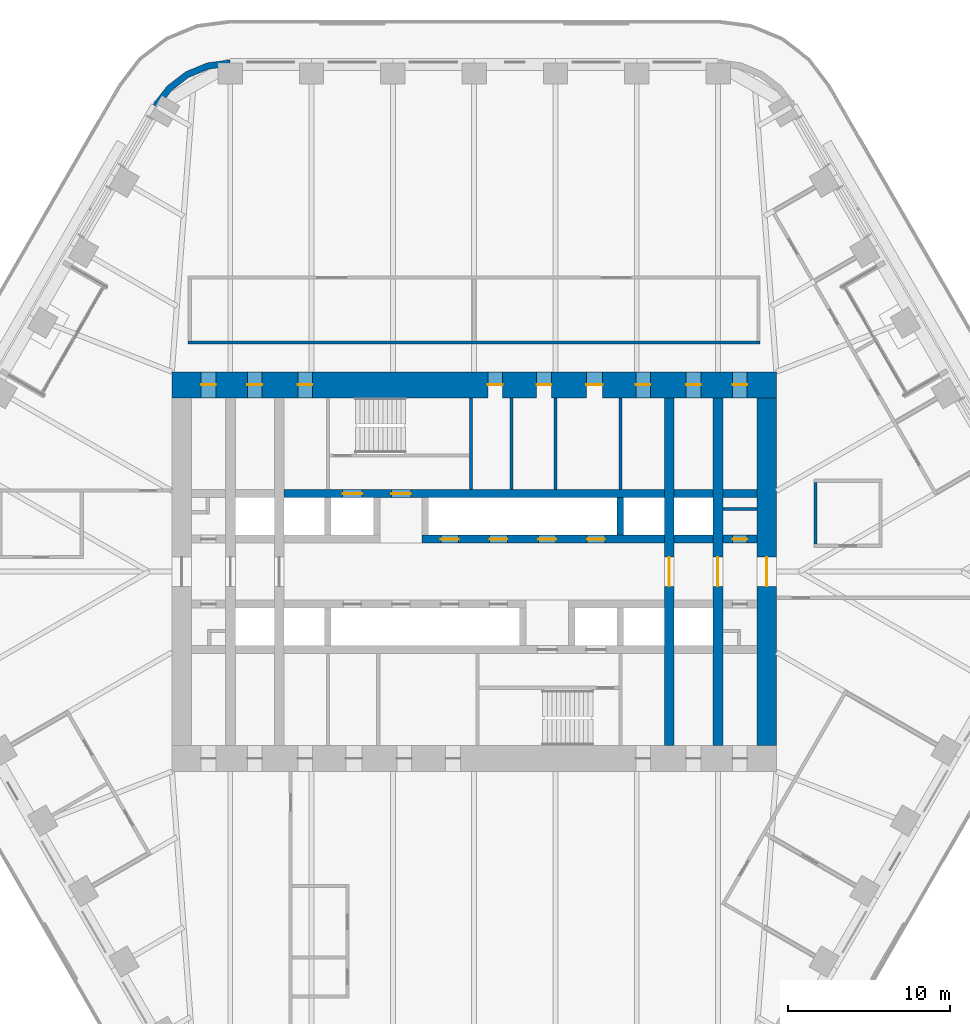
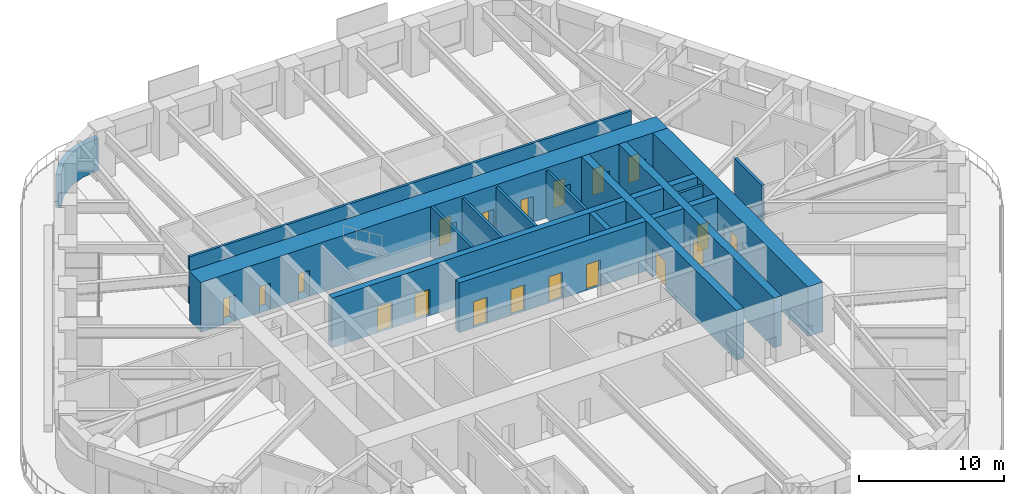
# One storey, part 20 of 24: 19 doors, 19 walls, 19 openings.
"""IFC4 building model written with IfcOpenShell, lengths in metres."""

import ifcopenshell
import ifcopenshell.guid

model = None  # the IFC model being written
_history = None  # IfcOwnerHistory: only IFC2X3 demands one
_inside = {}  # id of a spatial element -> (the spatial element, [elements in it])
_under = {}  # id of a project, library or spatial element -> (it, [spatial elements below it])
_declared = {}  # id of a project -> (the project, [libraries it declares])
_typed = {}  # id of a type object -> (the type object, [elements of that type])
_made_of = {}  # id of a material, layer set ... -> (it, [elements and type objects made of it])


def new_model(schema):
    """Start an empty IFC model of exactly this schema.

    Asked for "IFC4X3", IfcOpenShell would pick the latest addendum, in which some entities
    have other attributes; the version numbers below select the first issue.
    IFC2X3 requires an IfcOwnerHistory on every rooted entity: one is made here for all.
    """
    global model, _history
    if schema == "IFC4X3":
        model = ifcopenshell.file(schema_version=(4, 3, 0, 0))
    else:
        model = ifcopenshell.file(schema=schema)
    _inside.clear()
    _under.clear()
    _declared.clear()
    _typed.clear()
    _made_of.clear()
    _history = None
    if model.schema == "IFC2X3":
        org = make("IfcOrganization", Name="unknown")
        user = make(
            "IfcPersonAndOrganization",
            ThePerson=make("IfcPerson", FamilyName="unknown"),
            TheOrganization=org,
        )
        app = make(
            "IfcApplication",
            ApplicationDeveloper=org,
            Version="unknown",
            ApplicationFullName="unknown",
            ApplicationIdentifier="unknown",
        )
        _history = make(
            "IfcOwnerHistory",
            OwningUser=user,
            OwningApplication=app,
            ChangeAction="ADDED",
            CreationDate=0,
        )
    return model


def make(cls, **values):
    """One entity of the class cls with the attributes given. An attribute that is None is left unset."""
    return model.create_entity(
        cls, **{name: value for name, value in values.items() if value is not None}
    )


def rooted(cls, **values):
    """An entity with a GlobalId (a new one), such as an element, a storey or a relation."""
    return make(cls, GlobalId=ifcopenshell.guid.new(), OwnerHistory=_history, **values)


def si_unit(unit_type, name, prefix=None):
    """IfcSIUnit, for example si_unit("LENGTHUNIT", "METRE", prefix="MILLI")."""
    return make("IfcSIUnit", UnitType=unit_type, Prefix=prefix, Name=name)


def assignment(units):
    """IfcUnitAssignment: the units of a project."""
    return None if units is None else make("IfcUnitAssignment", Units=units)


def point(xyz):
    """IfcCartesianPoint."""
    return None if xyz is None else make("IfcCartesianPoint", Coordinates=xyz)


def direction(xyz):
    """IfcDirection."""
    return None if xyz is None else make("IfcDirection", DirectionRatios=xyz)


def frame(location, z_axis=None, x_axis=None):
    """IfcAxis2Placement3D, a coordinate frame: its origin and axes. An axis left out is left unset."""
    return make(
        "IfcAxis2Placement3D",
        Location=point(location),
        Axis=direction(z_axis),
        RefDirection=direction(x_axis),
    )


def frame_2d(location, x_axis=None):
    """IfcAxis2Placement2D, a coordinate frame in the plane: its origin and x axis."""
    return make(
        "IfcAxis2Placement2D", Location=point(location), RefDirection=direction(x_axis)
    )


def origin():
    """The frame at (0, 0, 0) with its axes left unset."""
    return frame((0.0, 0.0, 0.0))


def place(relative_to, where):
    """IfcLocalPlacement: puts the frame where relative to a parent placement (None: the world)."""
    return make(
        "IfcLocalPlacement", PlacementRelTo=relative_to, RelativePlacement=where
    )


def context(
    kind, dimensions, precision=None, world=None, true_north=None, identifier=None
):
    """IfcGeometricRepresentationContext, for example the 3D "Model" context."""
    return make(
        "IfcGeometricRepresentationContext",
        ContextIdentifier=identifier,
        ContextType=kind,
        CoordinateSpaceDimension=dimensions,
        Precision=precision,
        WorldCoordinateSystem=world,
        TrueNorth=true_north,
    )


def subcontext(parent, identifier, kind, view, scale=None):
    """IfcGeometricRepresentationSubContext, for example "Body" below "Model"."""
    return make(
        "IfcGeometricRepresentationSubContext",
        ContextIdentifier=identifier,
        ContextType=kind,
        ParentContext=parent,
        TargetScale=scale,
        TargetView=view,
    )


def project(units=None, contexts=None):
    """IfcProject with its units and contexts."""
    return rooted(
        "IfcProject",
        Name="project",
        RepresentationContexts=contexts,
        UnitsInContext=assignment(units),
    )


def spatial(cls, under=None, at=None, **own):
    """A site, building, storey or space (cls), placed at a placement, below another one or the project."""
    s = rooted(cls, ObjectPlacement=at, **own)
    if under is not None:
        _under.setdefault(under.id(), (under, []))[1].append(s)
    return s


def polyline(points):
    """IfcPolyline through the points."""
    return make("IfcPolyline", Points=[point(p) for p in points])


def profile(cls, at=None, kind="AREA", **sizes):
    """A parametric profile (cls). Its sizes go by their IFC names, for example OverallWidth=200.0."""
    return make(cls, ProfileType=kind, Position=at, **sizes)


def rectangle(**sizes):
    """IfcRectangleProfileDef."""
    return profile("IfcRectangleProfileDef", **sizes)


def outline(outer, holes=None, kind="AREA"):
    """IfcArbitraryClosedProfileDef: a profile drawn as a closed curve; with holes, ...WithVoids."""
    if holes is None:
        return make("IfcArbitraryClosedProfileDef", ProfileType=kind, OuterCurve=outer)
    return make(
        "IfcArbitraryProfileDefWithVoids",
        ProfileType=kind,
        OuterCurve=outer,
        InnerCurves=holes,
    )


def extrude(swept, where, along, depth):
    """IfcExtrudedAreaSolid: the profile swept, set in the frame where, extruded along a direction by depth."""
    return make(
        "IfcExtrudedAreaSolid",
        SweptArea=swept,
        Position=where,
        ExtrudedDirection=direction(along),
        Depth=depth,
    )


def shape(context_of_items, identifier, shape_type, items):
    """IfcShapeRepresentation: the items that make up one representation, for example the "Body"."""
    return make(
        "IfcShapeRepresentation",
        ContextOfItems=context_of_items,
        RepresentationIdentifier=identifier,
        RepresentationType=shape_type,
        Items=items,
    )


def material(Name=None, Category=None):
    """IfcMaterial."""
    return make("IfcMaterial", Name=Name, Category=Category)


def layer(
    of_material, thickness, ventilated=None, Name=None, Category=None, Priority=None
):
    """IfcMaterialLayer: one layer of a wall or slab, of a material (None: an air gap)."""
    return make(
        "IfcMaterialLayer",
        Material=of_material,
        LayerThickness=thickness,
        IsVentilated=ventilated,
        Name=Name,
        Category=Category,
        Priority=Priority,
    )


def layer_set(layers, Name=None):
    """IfcMaterialLayerSet."""
    return make("IfcMaterialLayerSet", MaterialLayers=layers, LayerSetName=Name)


def made_of(thing, what):
    """Note that an element or type object is made of a material, layer set ...; save() writes the relation."""
    if what is not None:
        _made_of.setdefault(what.id(), (what, []))[1].append(thing)
    return thing


def type_object(cls, material=None, **own):
    """A type object (cls), such as IfcWallType, which elements share."""
    return made_of(rooted(cls, **own), material)


def element(
    cls,
    number,
    at=None,
    inside=None,
    cuts=None,
    type_object=None,
    material=None,
    context=None,
    identifier="Body",
    shape_type=None,
    held_by="IfcProductDefinitionShape",
    body=None,
    shapes=None,
    **own,
):
    """One element of the class cls, such as IfcWall. Its Tag is "e" and its number.

    at: its placement. inside: the storey or other place that contains it. cuts: it is an
    opening in that element (IfcRelVoidsElement). A single representation is given by context,
    identifier, shape_type and body (its items); several are given by shapes. held_by: the class
    of the entity that holds the representations. save() writes the other relations.
    """
    e = rooted(cls, Tag="e%d" % number, ObjectPlacement=at, **own)
    if body is not None:
        shapes = [shape(context, identifier, shape_type, body)]
    if shapes is not None:
        e.Representation = make(held_by, Representations=shapes)
    if inside is not None:
        _inside.setdefault(inside.id(), (inside, []))[1].append(e)
    if cuts is not None:
        rooted(
            "IfcRelVoidsElement", RelatingBuildingElement=cuts, RelatedOpeningElement=e
        )
    if type_object is not None:
        _typed.setdefault(type_object.id(), (type_object, []))[1].append(e)
    return made_of(e, material)


def fill(opening, filler):
    """IfcRelFillsElement: the door or window that sits in an opening."""
    return rooted(
        "IfcRelFillsElement",
        RelatingOpeningElement=opening,
        RelatedBuildingElement=filler,
    )


def aggregate(whole, parts):
    """IfcRelAggregates: a whole, such as a stair, and the parts it consists of."""
    return rooted("IfcRelAggregates", RelatingObject=whole, RelatedObjects=parts)


def save(model, path):
    """Write the relations noted so far, then the file.

    IfcRelAggregates (storeys below a building ...), IfcRelContainedInSpatialStructure (elements
    in a storey), IfcRelDefinesByType, IfcRelAssociatesMaterial and IfcRelDeclares: one each for
    every whole, place, type object, material and project.
    """
    for whole, parts in _under.values():
        aggregate(whole, parts)
    for where, things in _inside.values():
        rooted(
            "IfcRelContainedInSpatialStructure",
            RelatedElements=things,
            RelatingStructure=where,
        )
    for kind, things in _typed.values():
        rooted("IfcRelDefinesByType", RelatedObjects=things, RelatingType=kind)
    for what, things in _made_of.values():
        rooted("IfcRelAssociatesMaterial", RelatedObjects=things, RelatingMaterial=what)
    for by, libraries in _declared.values():
        rooted("IfcRelDeclares", RelatingContext=by, RelatedDefinitions=libraries)
    model.write(path)


model = new_model("IFC4")

# Units and contexts
model_context = context("Model", 3, precision=1e-05, world=origin(), true_north=direction((0.0, 1.0)))
body_context = subcontext(model_context, "Body", "Model", "MODEL_VIEW")
ifc_project = project(units=[si_unit("LENGTHUNIT", "METRE"), si_unit("AREAUNIT", "SQUARE_METRE"), si_unit("VOLUMEUNIT", "CUBIC_METRE"), si_unit("PLANEANGLEUNIT", "RADIAN"), si_unit("MASSUNIT", "GRAM", prefix="KILO")], contexts=[model_context])

# Site, building, storey
site_placement = place(None, origin())
site = spatial("IfcSite", under=ifc_project, at=site_placement, CompositionType="ELEMENT")
building_placement = place(site_placement, origin())
building = spatial("IfcBuilding", under=site, at=building_placement, Name="Tarfa Lantern Tower", CompositionType="ELEMENT")
storey_placement = place(building_placement, frame((0.0, 0.0, 190.89990234375)))
storey = spatial("IfcBuildingStorey", under=building, at=storey_placement, Name="L43", CompositionType="ELEMENT", Elevation=190.89990234375)

# Walls
ifc_material_1 = material(Name="Limestone cladding on blockwork", Category="masonry")
ifc_layer_1 = layer(ifc_material_1, 0.39990234375)
ifc_layer_set_1 = layer_set([ifc_layer_1], Name="EW2 CURVED STONE CORNER 400")
wall_type_1 = type_object("IfcWallType", Name="EW2 CURVED STONE CORNER 400", PredefinedType="SOLIDWALL", material=ifc_layer_set_1)
wall_1_placement = place(storey_placement, origin())
element("IfcWall", 1, at=wall_1_placement, inside=storey, type_object=wall_type_1, Name="Stone corner N-NW", PredefinedType="SOLIDWALL", context=body_context, shape_type="SweptSolid", body=[
    extrude(outline(polyline([(-15.010986328125, 31.5), (-16.4345703125, 31.3125), (-17.760986328125, 30.76318359375), (-18.900146484375, 29.88916015625), (-19.774169921875, 28.75), (-19.427734375, 28.550048828125), (-18.617431640625, 29.606201171875), (-17.56103515625, 30.416748046875), (-16.3310546875, 30.92626953125), (-15.010986328125, 31.10009765625), (-15.010986328125, 31.5)])), origin(), (0.0, 0.0, 1.0), 2.75),
])
ifc_material_2 = material(Name="Concrete blockwork", Category="masonry")
ifc_layer_2 = layer(ifc_material_2, 0.199951171875)
ifc_layer_set_2 = layer_set([ifc_layer_2], Name="IW1 BLOCKWORK PARTITION 200 EI 120")
wall_type_2 = type_object("IfcWallType", Name="IW1 BLOCKWORK PARTITION 200 EI 120", PredefinedType="PARTITIONING", material=ifc_layer_set_2)
for number, where, z_axis, x_axis, name in (
    (2, (9.0, 5.050048828125, 0.0), (0.0, 0.0, 1.0), (0.0, 1.0, 0.0), "Core partition"),
    (3, (2.300048828125, 5.050048828125, 0.0), (0.0, 0.0, 1.0), (0.0, 1.0, 0.0), "Core partition"),
    (4, (5.0, 5.050048828125, 0.0), (0.0, 0.0, 1.0), (0.0, 1.0, 0.0), "Core partition"),
):
    element("IfcWall", number, at=place(storey_placement, frame(where, z_axis=z_axis, x_axis=x_axis)), inside=storey, type_object=wall_type_2, Name=name, PredefinedType="PARTITIONING", context=body_context, shape_type="SweptSolid", body=[
        extrude(rectangle(XDim=5.64990234375, YDim=0.199951171875, at=frame_2d((2.824951171875, 0.0))), origin(), (0.0, 0.0, 1.0), 4.0),
    ])
wall_2_placement = place(storey_placement, frame((15.300048828125, 3.85009765625, 0.0), z_axis=(0.0, 0.0, 1.0), x_axis=(1.0, 0.0, 0.0)))
element("IfcWall", 5, at=wall_2_placement, inside=storey, type_object=wall_type_2, Name="Core partition", PredefinedType="PARTITIONING", context=body_context, shape_type="SweptSolid", body=[
    extrude(rectangle(XDim=2.099853515625, YDim=0.199951171875, at=frame_2d((1.0498046875, 0.0))), origin(), (0.0, 0.0, 1.0), 4.0),
])
ifc_material_3 = material(Name="Gypsum board on steel studs", Category="steel")
ifc_layer_3 = layer(ifc_material_3, 0.2099609375)
ifc_layer_set_3 = layer_set([ifc_layer_3], Name="IW2 ACOUSTIC PARTITION 200")
wall_type_3 = type_object("IfcWallType", Name="IW2 ACOUSTIC PARTITION 200", PredefinedType="PARTITIONING", material=ifc_layer_set_3)
wall_3_placement = place(storey_placement, frame((-17.60009765625, 14.10009765625, 0.0), z_axis=(0.0, 0.0, 1.0), x_axis=(1.0, 0.0, 0.0)))
element("IfcWall", 6, at=wall_3_placement, inside=storey, type_object=wall_type_3, Name="Partition", PredefinedType="PARTITIONING", context=body_context, shape_type="SweptSolid", body=[
    extrude(rectangle(XDim=35.2001953125, YDim=0.199951171875, at=frame_2d((17.60009765625, 0.0))), origin(), (0.0, 0.0, 1.0), 4.0),
])
wall_4_placement = place(storey_placement, frame((21.0, 1.699951171875, 0.0), z_axis=(0.0, 0.0, 1.0), x_axis=(0.0, 1.0, 0.0)))
element("IfcWall", 7, at=wall_4_placement, inside=storey, type_object=wall_type_3, Name="Partition", PredefinedType="PARTITIONING", context=body_context, shape_type="SweptSolid", body=[
    extrude(rectangle(XDim=3.800048828125, YDim=0.199951171875, at=frame_2d((1.89990234375, 0.0))), origin(), (0.0, 0.0, 1.0), 4.0),
])

# Wall, opening, door
ifc_material_4 = material(Name="Concrete C80/95", Category="concrete")
ifc_layer_4 = layer(ifc_material_4, 1.199951171875)
ifc_layer_set_4 = layer_set([ifc_layer_4], Name="SW1 CORE WALL 1200")
wall_type_4 = type_object("IfcWallType", Name="SW1 CORE WALL 1200", PredefinedType="SHEAR", material=ifc_layer_set_4)
wall_5_placement = place(storey_placement, frame((18.0, -10.699951171875, 0.0), z_axis=(0.0, 0.0, 1.0), x_axis=(0.0, 1.0, 0.0)))
wall_5 = element("IfcWall", 8, at=wall_5_placement, inside=storey, type_object=wall_type_4, Name="Core wall E", PredefinedType="SHEAR", context=body_context, shape_type="SweptSolid", body=[
    extrude(rectangle(XDim=21.39990234375, YDim=1.199951171875, at=frame_2d((10.699951171875, 0.0))), origin(), (0.0, 0.0, 1.0), 4.2001953125),
])
opening_1_placement = place(wall_5_placement, frame((9.800048828125, 0.0, 0.0)))
opening_1 = element("IfcOpeningElement", 9, at=opening_1_placement, cuts=wall_5, Name="Opening D15", PredefinedType="OPENING", context=body_context, shape_type="SweptSolid", body=[
    extrude(rectangle(XDim=1.800048828125, YDim=2.39990234375, at=frame_2d((0.89990234375, 1.199951171875))), frame((0.0, 0.60986328125, 0.0), z_axis=(0.0, -1.0, 0.0), x_axis=(1.0, 0.0, 0.0)), (0.0, 0.0, 1.0), 1.219970703125),
])
ifc_material_5 = material(Name="Steel fire door", Category="steel")
door_type_1 = type_object("IfcDoorType", Name="DL1 LOBBY DOOR 1800x2400", OperationType="DOUBLE_DOOR_SINGLE_SWING", PredefinedType="DOOR", material=ifc_material_5)
door_1_placement = place(opening_1_placement, frame((1.800048828125, 0.0, 0.0), z_axis=(0.0, 0.0, 1.0), x_axis=(-1.0, 0.0, 0.0)))
door_1 = element("IfcDoor", 10, at=door_1_placement, inside=storey, type_object=door_type_1, Name="Lift lobby door", OperationType="DOUBLE_DOOR_SINGLE_SWING", OverallHeight=2.39990234375, OverallWidth=1.800048828125, PredefinedType="DOOR", context=body_context, shape_type="SweptSolid", body=[
    extrude(rectangle(XDim=1.800048828125, YDim=2.39990234375, at=frame_2d((0.89990234375, 1.199951171875))), frame((0.0, 0.02490234375, 0.0), z_axis=(0.0, -1.0, 0.0), x_axis=(1.0, 0.0, 0.0)), (0.0, 0.0, 1.0), 0.050048828125),
])
fill(opening_1, door_1)

# Wall
ifc_layer_5 = layer(ifc_material_4, 0.199951171875)
ifc_layer_set_5 = layer_set([ifc_layer_5], Name="SW12 CORE WALL 200")
wall_type_5 = type_object("IfcWallType", Name="SW12 CORE WALL 200", PredefinedType="SHEAR", material=ifc_layer_set_5)
wall_6_placement = place(storey_placement, frame((-0.199951171875, 5.050048828125, 0.0), z_axis=(0.0, 0.0, 1.0), x_axis=(0.0, 1.0, 0.0)))
element("IfcWall", 11, at=wall_6_placement, inside=storey, type_object=wall_type_5, Name="Core wall stair shaft N", PredefinedType="SHEAR", context=body_context, shape_type="SweptSolid", body=[
    extrude(rectangle(XDim=5.64990234375, YDim=0.199951171875, at=frame_2d((2.824951171875, 0.0))), origin(), (0.0, 0.0, 1.0), 4.2001953125),
])

# Wall, openings, doors
ifc_layer_6 = layer(ifc_material_4, 0.5)
ifc_layer_set_6 = layer_set([ifc_layer_6], Name="SW5 CORE WALL 500")
wall_type_6 = type_object("IfcWallType", Name="SW5 CORE WALL 500", PredefinedType="SHEAR", material=ifc_layer_set_6)
wall_7_placement = place(storey_placement, frame((-3.199951171875, 2.0, 0.0), z_axis=(0.0, 0.0, 1.0), x_axis=(1.0, 0.0, 0.0)))
wall_7 = element("IfcWall", 12, at=wall_7_placement, inside=storey, type_object=wall_type_6, Name="Core wall lobby east N", PredefinedType="SHEAR", context=body_context, shape_type="SweptSolid", body=[
    extrude(rectangle(XDim=14.89990234375, YDim=0.5, at=frame_2d((7.449951171875, 0.0))), origin(), (0.0, 0.0, 1.0), 4.2001953125),
])
opening_2_placement = place(wall_7_placement, frame((1.14990234375, 0.0, 0.0)))
opening_2 = element("IfcOpeningElement", 13, at=opening_2_placement, cuts=wall_7, Name="Opening LD03", PredefinedType="OPENING", context=body_context, shape_type="SweptSolid", body=[
    extrude(rectangle(XDim=1.10009765625, YDim=2.199951171875, at=frame_2d((0.550048828125, 1.10009765625))), frame((0.0, 0.260009765625, 0.0), z_axis=(0.0, -1.0, 0.0), x_axis=(1.0, 0.0, 0.0)), (0.0, 0.0, 1.0), 0.52001953125),
])
opening_3_placement = place(wall_7_placement, frame((4.14990234375, 0.0, 0.0)))
opening_3 = element("IfcOpeningElement", 14, at=opening_3_placement, cuts=wall_7, Name="Opening LD04", PredefinedType="OPENING", context=body_context, shape_type="SweptSolid", body=[
    extrude(rectangle(XDim=1.10009765625, YDim=2.199951171875, at=frame_2d((0.550048828125, 1.10009765625))), frame((0.0, 0.260009765625, 0.0), z_axis=(0.0, -1.0, 0.0), x_axis=(1.0, 0.0, 0.0)), (0.0, 0.0, 1.0), 0.52001953125),
])
opening_4_placement = place(wall_7_placement, frame((7.14990234375, 0.0, 0.0)))
opening_4 = element("IfcOpeningElement", 15, at=opening_4_placement, cuts=wall_7, Name="Opening LD05", PredefinedType="OPENING", context=body_context, shape_type="SweptSolid", body=[
    extrude(rectangle(XDim=1.10009765625, YDim=2.199951171875, at=frame_2d((0.550048828125, 1.10009765625))), frame((0.0, 0.260009765625, 0.0), z_axis=(0.0, -1.0, 0.0), x_axis=(1.0, 0.0, 0.0)), (0.0, 0.0, 1.0), 0.52001953125),
])
opening_5_placement = place(wall_7_placement, frame((10.14990234375, 0.0, 0.0)))
opening_5 = element("IfcOpeningElement", 16, at=opening_5_placement, cuts=wall_7, Name="Opening LD06", PredefinedType="OPENING", context=body_context, shape_type="SweptSolid", body=[
    extrude(rectangle(XDim=1.10009765625, YDim=2.199951171875, at=frame_2d((0.550048828125, 1.10009765625))), frame((0.0, 0.260009765625, 0.0), z_axis=(0.0, -1.0, 0.0), x_axis=(1.0, 0.0, 0.0)), (0.0, 0.0, 1.0), 0.52001953125),
])
ifc_material_6 = material(Name="Stainless steel lift door", Category="steel")
door_type_2 = type_object("IfcDoorType", Name="LD2 LIFT LANDING DOOR 1100x2200", OperationType="SLIDING_TO_LEFT", PredefinedType="DOOR", material=ifc_material_6)
door_2_placement = place(opening_2_placement, frame((1.10009765625, 0.0, 0.0), z_axis=(0.0, 0.0, 1.0), x_axis=(-1.0, 0.0, 0.0)))
door_2 = element("IfcDoor", 17, at=door_2_placement, inside=storey, type_object=door_type_2, Name="Landing door PB1", OperationType="SLIDING_TO_LEFT", OverallHeight=2.199951171875, OverallWidth=1.10009765625, PredefinedType="DOOR", context=body_context, shape_type="SweptSolid", body=[
    extrude(rectangle(XDim=1.10009765625, YDim=2.199951171875, at=frame_2d((0.550048828125, 1.10009765625))), frame((0.0, 0.02490234375, 0.0), z_axis=(0.0, -1.0, 0.0), x_axis=(1.0, 0.0, 0.0)), (0.0, 0.0, 1.0), 0.050048828125),
])
fill(opening_2, door_2)
door_3_placement = place(opening_3_placement, frame((1.10009765625, 0.0, 0.0), z_axis=(0.0, 0.0, 1.0), x_axis=(-1.0, 0.0, 0.0)))
door_3 = element("IfcDoor", 18, at=door_3_placement, inside=storey, type_object=door_type_2, Name="Landing door PB2", OperationType="SLIDING_TO_LEFT", OverallHeight=2.199951171875, OverallWidth=1.10009765625, PredefinedType="DOOR", context=body_context, shape_type="SweptSolid", body=[
    extrude(rectangle(XDim=1.10009765625, YDim=2.199951171875, at=frame_2d((0.550048828125, 1.10009765625))), frame((0.0, 0.02490234375, 0.0), z_axis=(0.0, -1.0, 0.0), x_axis=(1.0, 0.0, 0.0)), (0.0, 0.0, 1.0), 0.050048828125),
])
fill(opening_3, door_3)
door_4_placement = place(opening_4_placement, frame((1.10009765625, 0.0, 0.0), z_axis=(0.0, 0.0, 1.0), x_axis=(-1.0, 0.0, 0.0)))
door_4 = element("IfcDoor", 19, at=door_4_placement, inside=storey, type_object=door_type_2, Name="Landing door PB3", OperationType="SLIDING_TO_LEFT", OverallHeight=2.199951171875, OverallWidth=1.10009765625, PredefinedType="DOOR", context=body_context, shape_type="SweptSolid", body=[
    extrude(rectangle(XDim=1.10009765625, YDim=2.199951171875, at=frame_2d((0.550048828125, 1.10009765625))), frame((0.0, 0.02490234375, 0.0), z_axis=(0.0, -1.0, 0.0), x_axis=(1.0, 0.0, 0.0)), (0.0, 0.0, 1.0), 0.050048828125),
])
fill(opening_4, door_4)
door_5_placement = place(opening_5_placement, frame((1.10009765625, 0.0, 0.0), z_axis=(0.0, 0.0, 1.0), x_axis=(-1.0, 0.0, 0.0)))
door_5 = element("IfcDoor", 20, at=door_5_placement, inside=storey, type_object=door_type_2, Name="Landing door PB4", OperationType="SLIDING_TO_LEFT", OverallHeight=2.199951171875, OverallWidth=1.10009765625, PredefinedType="DOOR", context=body_context, shape_type="SweptSolid", body=[
    extrude(rectangle(XDim=1.10009765625, YDim=2.199951171875, at=frame_2d((0.550048828125, 1.10009765625))), frame((0.0, 0.02490234375, 0.0), z_axis=(0.0, -1.0, 0.0), x_axis=(1.0, 0.0, 0.0)), (0.0, 0.0, 1.0), 0.050048828125),
])
fill(opening_5, door_5)

# Wall
wall_8_placement = place(storey_placement, frame((12.300048828125, 2.0, 0.0), z_axis=(0.0, 0.0, 1.0), x_axis=(1.0, 0.0, 0.0)))
element("IfcWall", 21, at=wall_8_placement, inside=storey, type_object=wall_type_6, Name="Core wall lobby east N", PredefinedType="SHEAR", context=body_context, shape_type="SweptSolid", body=[
    extrude(rectangle(XDim=2.39990234375, YDim=0.5, at=frame_2d((1.199951171875, 0.0))), origin(), (0.0, 0.0, 1.0), 4.2001953125),
])

# Wall, opening, door
wall_9_placement = place(storey_placement, frame((15.300048828125, 2.0, 0.0), z_axis=(0.0, 0.0, 1.0), x_axis=(1.0, 0.0, 0.0)))
wall_9 = element("IfcWall", 22, at=wall_9_placement, inside=storey, type_object=wall_type_6, Name="Core wall lobby east N", PredefinedType="SHEAR", context=body_context, shape_type="SweptSolid", body=[
    extrude(rectangle(XDim=2.099853515625, YDim=0.5, at=frame_2d((1.0498046875, 0.0))), origin(), (0.0, 0.0, 1.0), 4.2001953125),
])
opening_6_placement = place(wall_9_placement, frame((0.60009765625, 0.0, 0.0)))
opening_6 = element("IfcOpeningElement", 23, at=opening_6_placement, cuts=wall_9, Name="Opening D17", PredefinedType="OPENING", context=body_context, shape_type="SweptSolid", body=[
    extrude(rectangle(XDim=0.89990234375, YDim=2.199951171875, at=frame_2d((0.449951171875, 1.10009765625))), frame((0.0, 0.260009765625, 0.0), z_axis=(0.0, -1.0, 0.0), x_axis=(1.0, 0.0, 0.0)), (0.0, 0.0, 1.0), 0.52001953125),
])
door_type_3 = type_object("IfcDoorType", Name="DF6 SERVICE ROOM DOOR 900x2200", OperationType="SINGLE_SWING_LEFT", PredefinedType="DOOR", material=ifc_material_5)
door_6_placement = place(opening_6_placement, origin())
door_6 = element("IfcDoor", 24, at=door_6_placement, inside=storey, type_object=door_type_3, Name="Service room door", OperationType="SINGLE_SWING_LEFT", OverallHeight=2.199951171875, OverallWidth=0.89990234375, PredefinedType="DOOR", context=body_context, shape_type="SweptSolid", body=[
    extrude(rectangle(XDim=0.89990234375, YDim=2.199951171875, at=frame_2d((0.449951171875, 1.10009765625))), frame((0.0, 0.02490234375, 0.0), z_axis=(0.0, -1.0, 0.0), x_axis=(1.0, 0.0, 0.0)), (0.0, 0.0, 1.0), 0.050048828125),
])
fill(opening_6, door_6)

# Wall, openings, doors
wall_10_placement = place(storey_placement, frame((-11.699951171875, 4.800048828125, 0.0), z_axis=(0.0, 0.0, 1.0), x_axis=(1.0, 0.0, 0.0)))
wall_10 = element("IfcWall", 25, at=wall_10_placement, inside=storey, type_object=wall_type_6, Name="Core wall rear N", PredefinedType="SHEAR", context=body_context, shape_type="SweptSolid", body=[
    extrude(rectangle(XDim=23.39990234375, YDim=0.5, at=frame_2d((11.699951171875, 0.0))), origin(), (0.0, 0.0, 1.0), 4.2001953125),
])
opening_7_placement = place(wall_10_placement, frame((6.60009765625, 0.0, 0.0)))
opening_7 = element("IfcOpeningElement", 26, at=opening_7_placement, cuts=wall_10, Name="Opening D13", PredefinedType="OPENING", context=body_context, shape_type="SweptSolid", body=[
    extrude(rectangle(XDim=1.199951171875, YDim=2.199951171875, at=frame_2d((0.60009765625, 1.10009765625))), frame((0.0, 0.260009765625, 0.0), z_axis=(0.0, -1.0, 0.0), x_axis=(1.0, 0.0, 0.0)), (0.0, 0.0, 1.0), 0.52001953125),
])
opening_8_placement = place(wall_10_placement, frame((3.60009765625, 0.0, 0.0)))
opening_8 = element("IfcOpeningElement", 27, at=opening_8_placement, cuts=wall_10, Name="Opening LD01", PredefinedType="OPENING", context=body_context, shape_type="SweptSolid", body=[
    extrude(rectangle(XDim=1.199951171875, YDim=2.199951171875, at=frame_2d((0.60009765625, 1.10009765625))), frame((0.0, 0.260009765625, 0.0), z_axis=(0.0, -1.0, 0.0), x_axis=(1.0, 0.0, 0.0)), (0.0, 0.0, 1.0), 0.52001953125),
])
door_type_4 = type_object("IfcDoorType", Name="DF1 FIREFIGHTING LOBBY DOOR 1200x2200", OperationType="SINGLE_SWING_LEFT", PredefinedType="DOOR", material=ifc_material_5)
door_7_placement = place(opening_7_placement, origin())
door_7 = element("IfcDoor", 28, at=door_7_placement, inside=storey, type_object=door_type_4, Name="Firefighting lobby door", OperationType="SINGLE_SWING_LEFT", OverallHeight=2.199951171875, OverallWidth=1.199951171875, PredefinedType="DOOR", context=body_context, shape_type="SweptSolid", body=[
    extrude(rectangle(XDim=1.199951171875, YDim=2.199951171875, at=frame_2d((0.60009765625, 1.10009765625))), frame((0.0, 0.02490234375, 0.0), z_axis=(0.0, -1.0, 0.0), x_axis=(1.0, 0.0, 0.0)), (0.0, 0.0, 1.0), 0.050048828125),
])
fill(opening_7, door_7)
door_type_5 = type_object("IfcDoorType", Name="LD1 LIFT LANDING DOOR 1200x2200", OperationType="SLIDING_TO_LEFT", PredefinedType="DOOR", material=ifc_material_6)
door_8_placement = place(opening_8_placement, origin())
door_8 = element("IfcDoor", 29, at=door_8_placement, inside=storey, type_object=door_type_5, Name="Landing door FL1", OperationType="SLIDING_TO_LEFT", OverallHeight=2.199951171875, OverallWidth=1.199951171875, PredefinedType="DOOR", context=body_context, shape_type="SweptSolid", body=[
    extrude(rectangle(XDim=1.199951171875, YDim=2.199951171875, at=frame_2d((0.60009765625, 1.10009765625))), frame((0.0, 0.02490234375, 0.0), z_axis=(0.0, -1.0, 0.0), x_axis=(1.0, 0.0, 0.0)), (0.0, 0.0, 1.0), 0.050048828125),
])
fill(opening_8, door_8)

# Walls
wall_11_placement = place(storey_placement, frame((12.300048828125, 4.800048828125, 0.0), z_axis=(0.0, 0.0, 1.0), x_axis=(1.0, 0.0, 0.0)))
element("IfcWall", 30, at=wall_11_placement, inside=storey, type_object=wall_type_6, Name="Core wall rear N", PredefinedType="SHEAR", context=body_context, shape_type="SweptSolid", body=[
    extrude(rectangle(XDim=2.39990234375, YDim=0.5, at=frame_2d((1.199951171875, 0.0))), origin(), (0.0, 0.0, 1.0), 4.2001953125),
])
wall_12_placement = place(storey_placement, frame((15.300048828125, 4.800048828125, 0.0), z_axis=(0.0, 0.0, 1.0), x_axis=(1.0, 0.0, 0.0)))
element("IfcWall", 31, at=wall_12_placement, inside=storey, type_object=wall_type_6, Name="Core wall rear N", PredefinedType="SHEAR", context=body_context, shape_type="SweptSolid", body=[
    extrude(rectangle(XDim=2.099853515625, YDim=0.5, at=frame_2d((1.0498046875, 0.0))), origin(), (0.0, 0.0, 1.0), 4.2001953125),
])
ifc_layer_7 = layer(ifc_material_4, 0.39990234375)
ifc_layer_set_7 = layer_set([ifc_layer_7], Name="SW6 CORE WALL 400")
wall_type_7 = type_object("IfcWallType", Name="SW6 CORE WALL 400", PredefinedType="SHEAR", material=ifc_layer_set_7)
wall_13_placement = place(storey_placement, frame((9.0, 2.25, 0.0), z_axis=(0.0, 0.0, 1.0), x_axis=(0.0, 1.0, 0.0)))
element("IfcWall", 32, at=wall_13_placement, inside=storey, type_object=wall_type_7, Name="Core wall divider N", PredefinedType="SHEAR", context=body_context, shape_type="SweptSolid", body=[
    extrude(rectangle(XDim=2.300048828125, YDim=0.39990234375, at=frame_2d((1.14990234375, 0.0))), origin(), (0.0, 0.0, 1.0), 4.2001953125),
])

# Wall, openings, doors
ifc_layer_8 = layer(ifc_material_4, 1.60009765625)
ifc_layer_set_8 = layer_set([ifc_layer_8], Name="SW7 CORE WALL 1600")
wall_type_8 = type_object("IfcWallType", Name="SW7 CORE WALL 1600", PredefinedType="SHEAR", material=ifc_layer_set_8)
wall_14_placement = place(storey_placement, frame((-18.60009765625, 11.5, 0.0), z_axis=(0.0, 0.0, 1.0), x_axis=(1.0, 0.0, 0.0)))
wall_14 = element("IfcWall", 33, at=wall_14_placement, inside=storey, type_object=wall_type_8, Name="Core wall N", PredefinedType="SHEAR", context=body_context, shape_type="SweptSolid", body=[
    extrude(rectangle(XDim=37.2001953125, YDim=1.60009765625, at=frame_2d((18.60009765625, 0.0))), origin(), (0.0, 0.0, 1.0), 4.2001953125),
])
opening_9_placement = place(wall_14_placement, frame((19.449951171875, 0.0, 0.0)))
opening_9 = element("IfcOpeningElement", 34, at=opening_9_placement, cuts=wall_14, Name="Opening D21", PredefinedType="OPENING", context=body_context, shape_type="SweptSolid", body=[
    extrude(rectangle(XDim=0.89990234375, YDim=2.199951171875, at=frame_2d((0.449951171875, 1.10009765625))), frame((0.0, 0.81005859375, 0.0), z_axis=(0.0, -1.0, 0.0), x_axis=(1.0, 0.0, 0.0)), (0.0, 0.0, 1.0), 1.6201171875),
])
opening_10_placement = place(wall_14_placement, frame((22.449951171875, 0.0, 0.0)))
opening_10 = element("IfcOpeningElement", 35, at=opening_10_placement, cuts=wall_14, Name="Opening D23", PredefinedType="OPENING", context=body_context, shape_type="SweptSolid", body=[
    extrude(rectangle(XDim=0.89990234375, YDim=2.199951171875, at=frame_2d((0.449951171875, 1.10009765625))), frame((0.0, 0.81005859375, 0.0), z_axis=(0.0, -1.0, 0.0), x_axis=(1.0, 0.0, 0.0)), (0.0, 0.0, 1.0), 1.6201171875),
])
opening_11_placement = place(wall_14_placement, frame((25.5, 0.0, 0.0)))
opening_11 = element("IfcOpeningElement", 36, at=opening_11_placement, cuts=wall_14, Name="Opening D25", PredefinedType="OPENING", context=body_context, shape_type="SweptSolid", body=[
    extrude(rectangle(XDim=1.0, YDim=2.199951171875, at=frame_2d((0.5, 1.10009765625))), frame((0.0, 0.81005859375, 0.0), z_axis=(0.0, -1.0, 0.0), x_axis=(1.0, 0.0, 0.0)), (0.0, 0.0, 1.0), 1.6201171875),
])
opening_12_placement = place(wall_14_placement, frame((1.800048828125, 0.0, 0.0)))
opening_12 = element("IfcOpeningElement", 37, at=opening_12_placement, cuts=wall_14, Name="Opening D11", PredefinedType="OPENING", context=body_context, shape_type="SweptSolid", body=[
    extrude(rectangle(XDim=0.89990234375, YDim=2.199951171875, at=frame_2d((0.449951171875, 1.10009765625))), frame((0.0, 0.81005859375, 0.0), z_axis=(0.0, -1.0, 0.0), x_axis=(1.0, 0.0, 0.0)), (0.0, 0.0, 1.0), 1.6201171875),
])
opening_13_placement = place(wall_14_placement, frame((4.64990234375, 0.0, 0.0)))
opening_13 = element("IfcOpeningElement", 38, at=opening_13_placement, cuts=wall_14, Name="Opening D07", PredefinedType="OPENING", context=body_context, shape_type="SweptSolid", body=[
    extrude(rectangle(XDim=0.89990234375, YDim=2.199951171875, at=frame_2d((0.449951171875, 1.10009765625))), frame((0.0, 0.81005859375, 0.0), z_axis=(0.0, -1.0, 0.0), x_axis=(1.0, 0.0, 0.0)), (0.0, 0.0, 1.0), 1.6201171875),
])
opening_14_placement = place(wall_14_placement, frame((7.75, 0.0, 0.0)))
opening_14 = element("IfcOpeningElement", 39, at=opening_14_placement, cuts=wall_14, Name="Opening D09", PredefinedType="OPENING", context=body_context, shape_type="SweptSolid", body=[
    extrude(rectangle(XDim=0.89990234375, YDim=2.199951171875, at=frame_2d((0.449951171875, 1.10009765625))), frame((0.0, 0.81005859375, 0.0), z_axis=(0.0, -1.0, 0.0), x_axis=(1.0, 0.0, 0.0)), (0.0, 0.0, 1.0), 1.6201171875),
])
opening_15_placement = place(wall_14_placement, frame((28.550048828125, 0.0, 0.0)))
opening_15 = element("IfcOpeningElement", 40, at=opening_15_placement, cuts=wall_14, Name="Opening D05", PredefinedType="OPENING", context=body_context, shape_type="SweptSolid", body=[
    extrude(rectangle(XDim=0.89990234375, YDim=2.199951171875, at=frame_2d((0.449951171875, 1.10009765625))), frame((0.0, 0.81005859375, 0.0), z_axis=(0.0, -1.0, 0.0), x_axis=(1.0, 0.0, 0.0)), (0.0, 0.0, 1.0), 1.6201171875),
])
opening_16_placement = place(wall_14_placement, frame((31.64990234375, 0.0, 0.0)))
opening_16 = element("IfcOpeningElement", 41, at=opening_16_placement, cuts=wall_14, Name="Opening D01", PredefinedType="OPENING", context=body_context, shape_type="SweptSolid", body=[
    extrude(rectangle(XDim=0.89990234375, YDim=2.199951171875, at=frame_2d((0.449951171875, 1.10009765625))), frame((0.0, 0.81005859375, 0.0), z_axis=(0.0, -1.0, 0.0), x_axis=(1.0, 0.0, 0.0)), (0.0, 0.0, 1.0), 1.6201171875),
])
opening_17_placement = place(wall_14_placement, frame((34.5, 0.0, 0.0)))
opening_17 = element("IfcOpeningElement", 42, at=opening_17_placement, cuts=wall_14, Name="Opening D03", PredefinedType="OPENING", context=body_context, shape_type="SweptSolid", body=[
    extrude(rectangle(XDim=0.89990234375, YDim=2.199951171875, at=frame_2d((0.449951171875, 1.10009765625))), frame((0.0, 0.81005859375, 0.0), z_axis=(0.0, -1.0, 0.0), x_axis=(1.0, 0.0, 0.0)), (0.0, 0.0, 1.0), 1.6201171875),
])
door_type_6 = type_object("IfcDoorType", Name="DF3 CORE ROOM DOOR 900x2200", OperationType="SINGLE_SWING_LEFT", PredefinedType="DOOR", material=ifc_material_5)
door_9_placement = place(opening_9_placement, frame((0.89990234375, 0.0, 0.0), z_axis=(0.0, 0.0, 1.0), x_axis=(-1.0, 0.0, 0.0)))
door_9 = element("IfcDoor", 43, at=door_9_placement, inside=storey, type_object=door_type_6, Name="Core door", OperationType="SINGLE_SWING_RIGHT", OverallHeight=2.199951171875, OverallWidth=0.89990234375, PredefinedType="DOOR", context=body_context, shape_type="SweptSolid", body=[
    extrude(rectangle(XDim=0.89990234375, YDim=2.199951171875, at=frame_2d((0.449951171875, 1.10009765625))), frame((0.0, 0.02490234375, 0.0), z_axis=(0.0, -1.0, 0.0), x_axis=(1.0, 0.0, 0.0)), (0.0, 0.0, 1.0), 0.050048828125),
])
fill(opening_9, door_9)
door_10_placement = place(opening_10_placement, frame((0.89990234375, 0.0, 0.0), z_axis=(0.0, 0.0, 1.0), x_axis=(-1.0, 0.0, 0.0)))
door_10 = element("IfcDoor", 44, at=door_10_placement, inside=storey, type_object=door_type_6, Name="Core door", OperationType="SINGLE_SWING_RIGHT", OverallHeight=2.199951171875, OverallWidth=0.89990234375, PredefinedType="DOOR", context=body_context, shape_type="SweptSolid", body=[
    extrude(rectangle(XDim=0.89990234375, YDim=2.199951171875, at=frame_2d((0.449951171875, 1.10009765625))), frame((0.0, 0.02490234375, 0.0), z_axis=(0.0, -1.0, 0.0), x_axis=(1.0, 0.0, 0.0)), (0.0, 0.0, 1.0), 0.050048828125),
])
fill(opening_10, door_10)
door_type_7 = type_object("IfcDoorType", Name="DF4 CORE ROOM DOOR 1000x2200", OperationType="SINGLE_SWING_LEFT", PredefinedType="DOOR", material=ifc_material_5)
door_11_placement = place(opening_11_placement, frame((1.0, 0.0, 0.0), z_axis=(0.0, 0.0, 1.0), x_axis=(-1.0, 0.0, 0.0)))
door_11 = element("IfcDoor", 45, at=door_11_placement, inside=storey, type_object=door_type_7, Name="Core door", OperationType="SINGLE_SWING_RIGHT", OverallHeight=2.199951171875, OverallWidth=1.0, PredefinedType="DOOR", context=body_context, shape_type="SweptSolid", body=[
    extrude(rectangle(XDim=1.0, YDim=2.199951171875, at=frame_2d((0.5, 1.10009765625))), frame((0.0, 0.02490234375, 0.0), z_axis=(0.0, -1.0, 0.0), x_axis=(1.0, 0.0, 0.0)), (0.0, 0.0, 1.0), 0.050048828125),
])
fill(opening_11, door_11)
door_type_8 = type_object("IfcDoorType", Name="DF5 RISER DOOR 900x2200", OperationType="SINGLE_SWING_LEFT", PredefinedType="DOOR", material=ifc_material_5)
door_12_placement = place(opening_12_placement, frame((0.89990234375, 0.0, 0.0), z_axis=(0.0, 0.0, 1.0), x_axis=(-1.0, 0.0, 0.0)))
door_12 = element("IfcDoor", 46, at=door_12_placement, inside=storey, type_object=door_type_8, Name="Riser door", OperationType="SINGLE_SWING_LEFT", OverallHeight=2.199951171875, OverallWidth=0.89990234375, PredefinedType="DOOR", context=body_context, shape_type="SweptSolid", body=[
    extrude(rectangle(XDim=0.89990234375, YDim=2.199951171875, at=frame_2d((0.449951171875, 1.10009765625))), frame((0.0, 0.02490234375, 0.0), z_axis=(0.0, -1.0, 0.0), x_axis=(1.0, 0.0, 0.0)), (0.0, 0.0, 1.0), 0.050048828125),
])
fill(opening_12, door_12)
door_13_placement = place(opening_13_placement, frame((0.89990234375, 0.0, 0.0), z_axis=(0.0, 0.0, 1.0), x_axis=(-1.0, 0.0, 0.0)))
door_13 = element("IfcDoor", 47, at=door_13_placement, inside=storey, type_object=door_type_8, Name="Riser door", OperationType="SINGLE_SWING_LEFT", OverallHeight=2.199951171875, OverallWidth=0.89990234375, PredefinedType="DOOR", context=body_context, shape_type="SweptSolid", body=[
    extrude(rectangle(XDim=0.89990234375, YDim=2.199951171875, at=frame_2d((0.449951171875, 1.10009765625))), frame((0.0, 0.02490234375, 0.0), z_axis=(0.0, -1.0, 0.0), x_axis=(1.0, 0.0, 0.0)), (0.0, 0.0, 1.0), 0.050048828125),
])
fill(opening_13, door_13)
door_14_placement = place(opening_14_placement, frame((0.89990234375, 0.0, 0.0), z_axis=(0.0, 0.0, 1.0), x_axis=(-1.0, 0.0, 0.0)))
door_14 = element("IfcDoor", 48, at=door_14_placement, inside=storey, type_object=door_type_8, Name="Riser door", OperationType="SINGLE_SWING_LEFT", OverallHeight=2.199951171875, OverallWidth=0.89990234375, PredefinedType="DOOR", context=body_context, shape_type="SweptSolid", body=[
    extrude(rectangle(XDim=0.89990234375, YDim=2.199951171875, at=frame_2d((0.449951171875, 1.10009765625))), frame((0.0, 0.02490234375, 0.0), z_axis=(0.0, -1.0, 0.0), x_axis=(1.0, 0.0, 0.0)), (0.0, 0.0, 1.0), 0.050048828125),
])
fill(opening_14, door_14)
door_15_placement = place(opening_15_placement, frame((0.89990234375, 0.0, 0.0), z_axis=(0.0, 0.0, 1.0), x_axis=(-1.0, 0.0, 0.0)))
door_15 = element("IfcDoor", 49, at=door_15_placement, inside=storey, type_object=door_type_8, Name="Riser door", OperationType="SINGLE_SWING_RIGHT", OverallHeight=2.199951171875, OverallWidth=0.89990234375, PredefinedType="DOOR", context=body_context, shape_type="SweptSolid", body=[
    extrude(rectangle(XDim=0.89990234375, YDim=2.199951171875, at=frame_2d((0.449951171875, 1.10009765625))), frame((0.0, 0.02490234375, 0.0), z_axis=(0.0, -1.0, 0.0), x_axis=(1.0, 0.0, 0.0)), (0.0, 0.0, 1.0), 0.050048828125),
])
fill(opening_15, door_15)
door_16_placement = place(opening_16_placement, frame((0.89990234375, 0.0, 0.0), z_axis=(0.0, 0.0, 1.0), x_axis=(-1.0, 0.0, 0.0)))
door_16 = element("IfcDoor", 50, at=door_16_placement, inside=storey, type_object=door_type_8, Name="Riser door", OperationType="SINGLE_SWING_RIGHT", OverallHeight=2.199951171875, OverallWidth=0.89990234375, PredefinedType="DOOR", context=body_context, shape_type="SweptSolid", body=[
    extrude(rectangle(XDim=0.89990234375, YDim=2.199951171875, at=frame_2d((0.449951171875, 1.10009765625))), frame((0.0, 0.02490234375, 0.0), z_axis=(0.0, -1.0, 0.0), x_axis=(1.0, 0.0, 0.0)), (0.0, 0.0, 1.0), 0.050048828125),
])
fill(opening_16, door_16)
door_17_placement = place(opening_17_placement, frame((0.89990234375, 0.0, 0.0), z_axis=(0.0, 0.0, 1.0), x_axis=(-1.0, 0.0, 0.0)))
door_17 = element("IfcDoor", 51, at=door_17_placement, inside=storey, type_object=door_type_8, Name="Riser door", OperationType="SINGLE_SWING_RIGHT", OverallHeight=2.199951171875, OverallWidth=0.89990234375, PredefinedType="DOOR", context=body_context, shape_type="SweptSolid", body=[
    extrude(rectangle(XDim=0.89990234375, YDim=2.199951171875, at=frame_2d((0.449951171875, 1.10009765625))), frame((0.0, 0.02490234375, 0.0), z_axis=(0.0, -1.0, 0.0), x_axis=(1.0, 0.0, 0.0)), (0.0, 0.0, 1.0), 0.050048828125),
])
fill(opening_17, door_17)

# Wall, opening, door
ifc_layer_9 = layer(ifc_material_4, 0.60009765625)
ifc_layer_set_9 = layer_set([ifc_layer_9], Name="SW9 CORE WALL 600")
wall_type_9 = type_object("IfcWallType", Name="SW9 CORE WALL 600", PredefinedType="SHEAR", material=ifc_layer_set_9)
wall_15_placement = place(storey_placement, frame((12.0, -10.699951171875, 0.0), z_axis=(0.0, 0.0, 1.0), x_axis=(0.0, 1.0, 0.0)))
wall_15 = element("IfcWall", 52, at=wall_15_placement, inside=storey, type_object=wall_type_9, Name="Core wall cross 12 m east", PredefinedType="SHEAR", context=body_context, shape_type="SweptSolid", body=[
    extrude(rectangle(XDim=21.39990234375, YDim=0.60009765625, at=frame_2d((10.699951171875, 0.0))), origin(), (0.0, 0.0, 1.0), 4.2001953125),
])
opening_18_placement = place(wall_15_placement, frame((9.800048828125, 0.0, 0.0)))
opening_18 = element("IfcOpeningElement", 53, at=opening_18_placement, cuts=wall_15, Name="Opening D29", PredefinedType="OPENING", context=body_context, shape_type="SweptSolid", body=[
    extrude(rectangle(XDim=1.800048828125, YDim=2.39990234375, at=frame_2d((0.89990234375, 1.199951171875))), frame((0.0, 0.31005859375, 0.0), z_axis=(0.0, -1.0, 0.0), x_axis=(1.0, 0.0, 0.0)), (0.0, 0.0, 1.0), 0.6201171875),
])
door_18_placement = place(opening_18_placement, origin())
door_18 = element("IfcDoor", 54, at=door_18_placement, inside=storey, type_object=door_type_1, Name="Lift lobby door", OperationType="DOUBLE_DOOR_SINGLE_SWING", OverallHeight=2.39990234375, OverallWidth=1.800048828125, PredefinedType="DOOR", context=body_context, shape_type="SweptSolid", body=[
    extrude(rectangle(XDim=1.800048828125, YDim=2.39990234375, at=frame_2d((0.89990234375, 1.199951171875))), frame((0.0, 0.02490234375, 0.0), z_axis=(0.0, -1.0, 0.0), x_axis=(1.0, 0.0, 0.0)), (0.0, 0.0, 1.0), 0.050048828125),
])
fill(opening_18, door_18)

wall_16_placement = place(storey_placement, frame((15.0, -10.699951171875, 0.0), z_axis=(0.0, 0.0, 1.0), x_axis=(0.0, 1.0, 0.0)))
wall_16 = element("IfcWall", 55, at=wall_16_placement, inside=storey, type_object=wall_type_9, Name="Core wall cross 15 m east", PredefinedType="SHEAR", context=body_context, shape_type="SweptSolid", body=[
    extrude(rectangle(XDim=21.39990234375, YDim=0.60009765625, at=frame_2d((10.699951171875, 0.0))), origin(), (0.0, 0.0, 1.0), 4.2001953125),
])
opening_19_placement = place(wall_16_placement, frame((9.800048828125, 0.0, 0.0)))
opening_19 = element("IfcOpeningElement", 56, at=opening_19_placement, cuts=wall_16, Name="Opening D30", PredefinedType="OPENING", context=body_context, shape_type="SweptSolid", body=[
    extrude(rectangle(XDim=1.800048828125, YDim=2.39990234375, at=frame_2d((0.89990234375, 1.199951171875))), frame((0.0, 0.31005859375, 0.0), z_axis=(0.0, -1.0, 0.0), x_axis=(1.0, 0.0, 0.0)), (0.0, 0.0, 1.0), 0.6201171875),
])
door_19_placement = place(opening_19_placement, origin())
door_19 = element("IfcDoor", 57, at=door_19_placement, inside=storey, type_object=door_type_1, Name="Lift lobby door", OperationType="DOUBLE_DOOR_SINGLE_SWING", OverallHeight=2.39990234375, OverallWidth=1.800048828125, PredefinedType="DOOR", context=body_context, shape_type="SweptSolid", body=[
    extrude(rectangle(XDim=1.800048828125, YDim=2.39990234375, at=frame_2d((0.89990234375, 1.199951171875))), frame((0.0, 0.02490234375, 0.0), z_axis=(0.0, -1.0, 0.0), x_axis=(1.0, 0.0, 0.0)), (0.0, 0.0, 1.0), 0.050048828125),
])
fill(opening_19, door_19)

save(model, "model.ifc")
